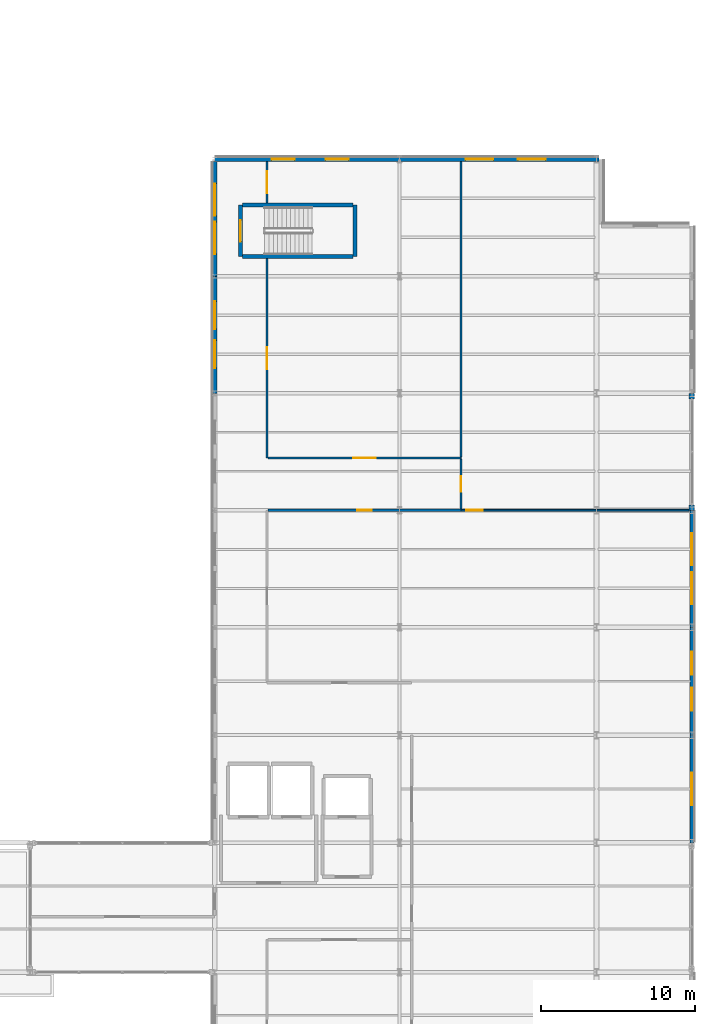
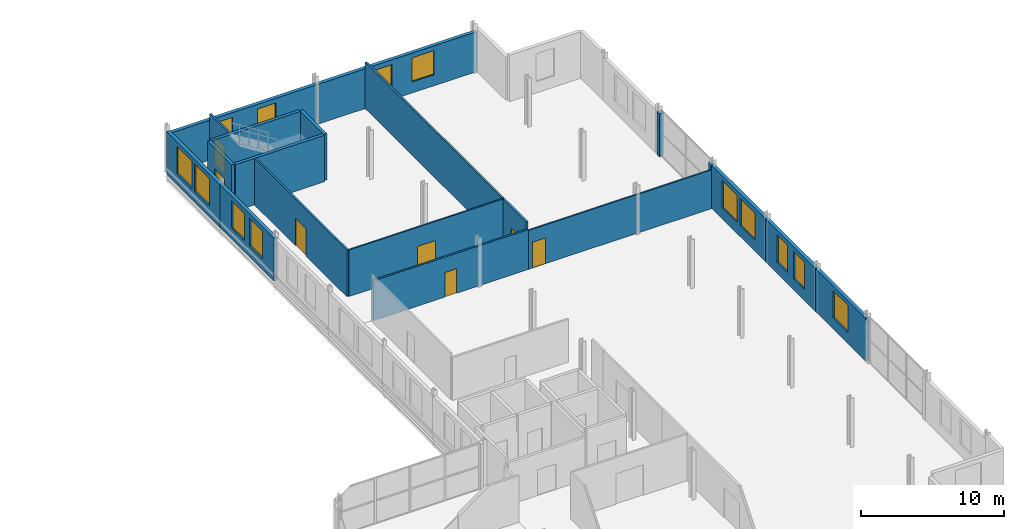
# One storey, part 87 of 93: 20 walls, 13 windows, 7 doors, 20 openings.
"""IFC4 building model written with IfcOpenShell, lengths in metres."""

import ifcopenshell
import ifcopenshell.guid

model = None  # the IFC model being written
_history = None  # IfcOwnerHistory: only IFC2X3 demands one
_inside = {}  # id of a spatial element -> (the spatial element, [elements in it])
_under = {}  # id of a project, library or spatial element -> (it, [spatial elements below it])
_declared = {}  # id of a project -> (the project, [libraries it declares])
_typed = {}  # id of a type object -> (the type object, [elements of that type])
_made_of = {}  # id of a material, layer set ... -> (it, [elements and type objects made of it])


def new_model(schema):
    """Start an empty IFC model of exactly this schema.

    Asked for "IFC4X3", IfcOpenShell would pick the latest addendum, in which some entities
    have other attributes; the version numbers below select the first issue.
    IFC2X3 requires an IfcOwnerHistory on every rooted entity: one is made here for all.
    """
    global model, _history
    if schema == "IFC4X3":
        model = ifcopenshell.file(schema_version=(4, 3, 0, 0))
    else:
        model = ifcopenshell.file(schema=schema)
    _inside.clear()
    _under.clear()
    _declared.clear()
    _typed.clear()
    _made_of.clear()
    _history = None
    if model.schema == "IFC2X3":
        org = make("IfcOrganization", Name="unknown")
        user = make(
            "IfcPersonAndOrganization",
            ThePerson=make("IfcPerson", FamilyName="unknown"),
            TheOrganization=org,
        )
        app = make(
            "IfcApplication",
            ApplicationDeveloper=org,
            Version="unknown",
            ApplicationFullName="unknown",
            ApplicationIdentifier="unknown",
        )
        _history = make(
            "IfcOwnerHistory",
            OwningUser=user,
            OwningApplication=app,
            ChangeAction="ADDED",
            CreationDate=0,
        )
    return model


def make(cls, **values):
    """One entity of the class cls with the attributes given. An attribute that is None is left unset."""
    return model.create_entity(
        cls, **{name: value for name, value in values.items() if value is not None}
    )


def rooted(cls, **values):
    """An entity with a GlobalId (a new one), such as an element, a storey or a relation."""
    return make(cls, GlobalId=ifcopenshell.guid.new(), OwnerHistory=_history, **values)


def si_unit(unit_type, name, prefix=None):
    """IfcSIUnit, for example si_unit("LENGTHUNIT", "METRE", prefix="MILLI")."""
    return make("IfcSIUnit", UnitType=unit_type, Prefix=prefix, Name=name)


def assignment(units):
    """IfcUnitAssignment: the units of a project."""
    return None if units is None else make("IfcUnitAssignment", Units=units)


def point(xyz):
    """IfcCartesianPoint."""
    return None if xyz is None else make("IfcCartesianPoint", Coordinates=xyz)


def direction(xyz):
    """IfcDirection."""
    return None if xyz is None else make("IfcDirection", DirectionRatios=xyz)


def frame(location, z_axis=None, x_axis=None):
    """IfcAxis2Placement3D, a coordinate frame: its origin and axes. An axis left out is left unset."""
    return make(
        "IfcAxis2Placement3D",
        Location=point(location),
        Axis=direction(z_axis),
        RefDirection=direction(x_axis),
    )


def frame_2d(location, x_axis=None):
    """IfcAxis2Placement2D, a coordinate frame in the plane: its origin and x axis."""
    return make(
        "IfcAxis2Placement2D", Location=point(location), RefDirection=direction(x_axis)
    )


def origin():
    """The frame at (0, 0, 0) with its axes left unset."""
    return frame((0.0, 0.0, 0.0))


def place(relative_to, where):
    """IfcLocalPlacement: puts the frame where relative to a parent placement (None: the world)."""
    return make(
        "IfcLocalPlacement", PlacementRelTo=relative_to, RelativePlacement=where
    )


def context(
    kind, dimensions, precision=None, world=None, true_north=None, identifier=None
):
    """IfcGeometricRepresentationContext, for example the 3D "Model" context."""
    return make(
        "IfcGeometricRepresentationContext",
        ContextIdentifier=identifier,
        ContextType=kind,
        CoordinateSpaceDimension=dimensions,
        Precision=precision,
        WorldCoordinateSystem=world,
        TrueNorth=true_north,
    )


def subcontext(parent, identifier, kind, view, scale=None):
    """IfcGeometricRepresentationSubContext, for example "Body" below "Model"."""
    return make(
        "IfcGeometricRepresentationSubContext",
        ContextIdentifier=identifier,
        ContextType=kind,
        ParentContext=parent,
        TargetScale=scale,
        TargetView=view,
    )


def project(units=None, contexts=None):
    """IfcProject with its units and contexts."""
    return rooted(
        "IfcProject",
        Name="project",
        RepresentationContexts=contexts,
        UnitsInContext=assignment(units),
    )


def spatial(cls, under=None, at=None, **own):
    """A site, building, storey or space (cls), placed at a placement, below another one or the project."""
    s = rooted(cls, ObjectPlacement=at, **own)
    if under is not None:
        _under.setdefault(under.id(), (under, []))[1].append(s)
    return s


def profile(cls, at=None, kind="AREA", **sizes):
    """A parametric profile (cls). Its sizes go by their IFC names, for example OverallWidth=200.0."""
    return make(cls, ProfileType=kind, Position=at, **sizes)


def rectangle(**sizes):
    """IfcRectangleProfileDef."""
    return profile("IfcRectangleProfileDef", **sizes)


def extrude(swept, where, along, depth):
    """IfcExtrudedAreaSolid: the profile swept, set in the frame where, extruded along a direction by depth."""
    return make(
        "IfcExtrudedAreaSolid",
        SweptArea=swept,
        Position=where,
        ExtrudedDirection=direction(along),
        Depth=depth,
    )


def shape(context_of_items, identifier, shape_type, items):
    """IfcShapeRepresentation: the items that make up one representation, for example the "Body"."""
    return make(
        "IfcShapeRepresentation",
        ContextOfItems=context_of_items,
        RepresentationIdentifier=identifier,
        RepresentationType=shape_type,
        Items=items,
    )


def material(Name=None, Category=None):
    """IfcMaterial."""
    return make("IfcMaterial", Name=Name, Category=Category)


def layer(
    of_material, thickness, ventilated=None, Name=None, Category=None, Priority=None
):
    """IfcMaterialLayer: one layer of a wall or slab, of a material (None: an air gap)."""
    return make(
        "IfcMaterialLayer",
        Material=of_material,
        LayerThickness=thickness,
        IsVentilated=ventilated,
        Name=Name,
        Category=Category,
        Priority=Priority,
    )


def layer_set(layers, Name=None):
    """IfcMaterialLayerSet."""
    return make("IfcMaterialLayerSet", MaterialLayers=layers, LayerSetName=Name)


def made_of(thing, what):
    """Note that an element or type object is made of a material, layer set ...; save() writes the relation."""
    if what is not None:
        _made_of.setdefault(what.id(), (what, []))[1].append(thing)
    return thing


def type_object(cls, material=None, **own):
    """A type object (cls), such as IfcWallType, which elements share."""
    return made_of(rooted(cls, **own), material)


def element(
    cls,
    number,
    at=None,
    inside=None,
    cuts=None,
    type_object=None,
    material=None,
    context=None,
    identifier="Body",
    shape_type=None,
    held_by="IfcProductDefinitionShape",
    body=None,
    shapes=None,
    **own,
):
    """One element of the class cls, such as IfcWall. Its Tag is "e" and its number.

    at: its placement. inside: the storey or other place that contains it. cuts: it is an
    opening in that element (IfcRelVoidsElement). A single representation is given by context,
    identifier, shape_type and body (its items); several are given by shapes. held_by: the class
    of the entity that holds the representations. save() writes the other relations.
    """
    e = rooted(cls, Tag="e%d" % number, ObjectPlacement=at, **own)
    if body is not None:
        shapes = [shape(context, identifier, shape_type, body)]
    if shapes is not None:
        e.Representation = make(held_by, Representations=shapes)
    if inside is not None:
        _inside.setdefault(inside.id(), (inside, []))[1].append(e)
    if cuts is not None:
        rooted(
            "IfcRelVoidsElement", RelatingBuildingElement=cuts, RelatedOpeningElement=e
        )
    if type_object is not None:
        _typed.setdefault(type_object.id(), (type_object, []))[1].append(e)
    return made_of(e, material)


def fill(opening, filler):
    """IfcRelFillsElement: the door or window that sits in an opening."""
    return rooted(
        "IfcRelFillsElement",
        RelatingOpeningElement=opening,
        RelatedBuildingElement=filler,
    )


def aggregate(whole, parts):
    """IfcRelAggregates: a whole, such as a stair, and the parts it consists of."""
    return rooted("IfcRelAggregates", RelatingObject=whole, RelatedObjects=parts)


def save(model, path):
    """Write the relations noted so far, then the file.

    IfcRelAggregates (storeys below a building ...), IfcRelContainedInSpatialStructure (elements
    in a storey), IfcRelDefinesByType, IfcRelAssociatesMaterial and IfcRelDeclares: one each for
    every whole, place, type object, material and project.
    """
    for whole, parts in _under.values():
        aggregate(whole, parts)
    for where, things in _inside.values():
        rooted(
            "IfcRelContainedInSpatialStructure",
            RelatedElements=things,
            RelatingStructure=where,
        )
    for kind, things in _typed.values():
        rooted("IfcRelDefinesByType", RelatedObjects=things, RelatingType=kind)
    for what, things in _made_of.values():
        rooted("IfcRelAssociatesMaterial", RelatedObjects=things, RelatingMaterial=what)
    for by, libraries in _declared.values():
        rooted("IfcRelDeclares", RelatingContext=by, RelatedDefinitions=libraries)
    model.write(path)


model = new_model("IFC4")

# Units and contexts
model_context = context("Model", 3, precision=1e-05, world=origin(), true_north=direction((0.0, 1.0)))
body_context = subcontext(model_context, "Body", "Model", "MODEL_VIEW")
ifc_project = project(units=[si_unit("LENGTHUNIT", "METRE"), si_unit("AREAUNIT", "SQUARE_METRE"), si_unit("VOLUMEUNIT", "CUBIC_METRE"), si_unit("PLANEANGLEUNIT", "RADIAN"), si_unit("MASSUNIT", "GRAM", prefix="KILO")], contexts=[model_context])

# Site, building, storey
site_placement = place(None, origin())
site = spatial("IfcSite", under=ifc_project, at=site_placement, CompositionType="ELEMENT")
building_placement = place(site_placement, origin())
building = spatial("IfcBuilding", under=site, at=building_placement, Name="Vekula Escarpment Museum", CompositionType="ELEMENT")
storey_placement = place(building_placement, frame((0.0, 0.0, 22.199951171875)))
storey = spatial("IfcBuildingStorey", under=building, at=storey_placement, Name="L05", CompositionType="ELEMENT", Elevation=22.199951171875)

# Walls
ifc_material_1 = material(Name="Inkisi arkosic sandstone masonry", Category="masonry")
ifc_layer_1 = layer(ifc_material_1, 0.35009765625)
ifc_layer_set_1 = layer_set([ifc_layer_1], Name="Inkisi arkosic sandstone masonry")
wall_type_1 = type_object("IfcWallType", Name="WL-ALM-350", PredefinedType="SOLIDWALL", material=ifc_layer_set_1)
for number, where, z_axis, x_axis, name in (
    (1, (198.0, 98.0, 0.0), (0.0, 0.0, 1.0), (0.0, 1.0, 0.0), "Facade Jamb Pier L05-0889A"),
    (2, (198.0, 105.239990234375, 0.0), (0.0, 0.0, 1.0), (0.0, 1.0, 0.0), "Facade Jamb Pier L05-0890B"),
):
    element("IfcWall", number, at=place(storey_placement, frame(where, z_axis=z_axis, x_axis=x_axis)), inside=storey, type_object=wall_type_1, Name=name, PredefinedType="SOLIDWALL", context=body_context, shape_type="SweptSolid", body=[
        extrude(rectangle(XDim=0.360107421875, YDim=0.35009765625, at=frame_2d((0.18017578125, 0.0))), origin(), (0.0, 0.0, 1.0), 3.675048828125),
    ])

# Wall, opening, door
ifc_material_2 = material(Name="Concrete C35/45", Category="concrete")
ifc_layer_2 = layer(ifc_material_2, 0.25)
ifc_layer_set_2 = layer_set([ifc_layer_2], Name="Concrete C35/45")
wall_type_2 = type_object("IfcWallType", Name="WL-CORE-250", PredefinedType="SHEAR", material=ifc_layer_set_2)
wall_1_placement = place(storey_placement, frame((168.675048828125, 114.47509765625, 0.0), z_axis=(0.0, 0.0, 1.0), x_axis=(0.0, 1.0, 0.0)))
wall_1 = element("IfcWall", 3, at=wall_1_placement, inside=storey, type_object=wall_type_2, Name="Stair Core Wall ST-05 L05 W", PredefinedType="SHEAR", context=body_context, shape_type="SweptSolid", body=[
    extrude(rectangle(XDim=3.349853515625, YDim=0.25, at=frame_2d((1.6748046875, 0.0))), origin(), (0.0, 0.0, 1.0), 3.97998046875),
])
opening_1_placement = place(wall_1_placement, frame((0.97509765625, 0.0, 0.0)))
opening_1 = element("IfcOpeningElement", 4, at=opening_1_placement, cuts=wall_1, Name="Opening DR-FD60", PredefinedType="OPENING", context=body_context, shape_type="SweptSolid", body=[
    extrude(rectangle(XDim=1.39990234375, YDim=2.199951171875, at=frame_2d((0.699951171875, 1.10009765625))), frame((0.0, 0.135009765625, 0.0), z_axis=(0.0, -1.0, 0.0), x_axis=(1.0, 0.0, 0.0)), (0.0, 0.0, 1.0), 0.27001953125),
])
ifc_material_3 = material(Name="Fire-rated steel stair door", Category="steel")
door_type_1 = type_object("IfcDoorType", Name="DR-STAIR-1400x2200", OperationType="NOTDEFINED", PredefinedType="DOOR", material=ifc_material_3)
door_1_placement = place(opening_1_placement, origin())
door_1 = element("IfcDoor", 5, at=door_1_placement, inside=storey, type_object=door_type_1, Name="Protected Exit Stair Door ST-05 L05", OperationType="SINGLE_SWING_RIGHT", OverallHeight=2.199951171875, OverallWidth=1.39990234375, PredefinedType="DOOR", context=body_context, shape_type="SweptSolid", body=[
    extrude(rectangle(XDim=1.39990234375, YDim=2.199951171875, at=frame_2d((0.699951171875, 1.10009765625))), frame((0.0, 0.02490234375, 0.0), z_axis=(0.0, -1.0, 0.0), x_axis=(1.0, 0.0, 0.0)), (0.0, 0.0, 1.0), 0.050048828125),
])
fill(opening_1, door_1)

# Walls
wall_2_placement = place(storey_placement, frame((176.125, 114.47509765625, 0.0), z_axis=(0.0, 0.0, 1.0), x_axis=(0.0, 1.0, 0.0)))
element("IfcWall", 6, at=wall_2_placement, inside=storey, type_object=wall_type_2, Name="Stair Core Wall ST-05 L05 E", PredefinedType="SHEAR", context=body_context, shape_type="SweptSolid", body=[
    extrude(rectangle(XDim=3.349853515625, YDim=0.25, at=frame_2d((1.6748046875, 0.0))), origin(), (0.0, 0.0, 1.0), 3.97998046875),
])
for number, where, z_axis, x_axis, name in (
    (7, (168.803955078125, 114.47509765625, 0.0), (0.0, 0.0, 1.0), (1.0, 0.0, 0.0), "Stair Core Wall ST-05 L05 S"),
    (8, (168.803955078125, 117.824951171875, 0.0), (0.0, 0.0, 1.0), (1.0, 0.0, 0.0), "Stair Core Wall ST-05 L05 N"),
):
    element("IfcWall", number, at=place(storey_placement, frame(where, z_axis=z_axis, x_axis=x_axis)), inside=storey, type_object=wall_type_2, Name=name, PredefinedType="SHEAR", context=body_context, shape_type="SweptSolid", body=[
        extrude(rectangle(XDim=7.192138671875, YDim=0.25, at=frame_2d((3.59619140625, 0.0))), origin(), (0.0, 0.0, 1.0), 3.97998046875),
    ])

# Wall, opening, window
ifc_material_4 = material(Name="Inkisi arkosic sandstone masonry", Category="masonry")
ifc_layer_3 = layer(ifc_material_4, 0.280029296875)
ifc_layer_set_3 = layer_set([ifc_layer_3], Name="Inkisi arkosic sandstone masonry")
wall_type_3 = type_object("IfcWallType", Name="WL-CUM-280", PredefinedType="SOLIDWALL", material=ifc_layer_set_3)
wall_3_placement = place(storey_placement, frame((198.0, 83.39990234375, 0.0), z_axis=(0.0, 0.0, 1.0), x_axis=(0.0, -1.0, 0.0)))
wall_3 = element("IfcWall", 9, at=wall_3_placement, inside=storey, type_object=wall_type_3, Name="Exterior Wall WL-EXT-L05-0886", PredefinedType="SOLIDWALL", context=body_context, shape_type="SweptSolid", body=[
    extrude(rectangle(XDim=7.0, YDim=0.280029296875, at=frame_2d((3.5, 0.0))), origin(), (0.0, 0.0, 1.0), 3.675048828125),
])
opening_2_placement = place(wall_3_placement, frame((2.449951171875, 0.0, 0.949951171875)))
opening_2 = element("IfcOpeningElement", 10, at=opening_2_placement, cuts=wall_3, Name="Opening WN-08", PredefinedType="OPENING", context=body_context, shape_type="SweptSolid", body=[
    extrude(rectangle(XDim=2.10009765625, YDim=2.330078125, at=frame_2d((1.050048828125, 1.1650390625))), frame((0.0, 0.14990234375, 0.0), z_axis=(0.0, -1.0, 0.0), x_axis=(1.0, 0.0, 0.0)), (0.0, 0.0, 1.0), 0.300048828125),
])
ifc_material_5 = material(Name="Double solar-control low-E glass", Category="glass")
window_type_1 = type_object("IfcWindowType", Name="WN-CUMBA-21x28", PartitioningType="DOUBLE_PANEL_VERTICAL", PredefinedType="WINDOW", material=ifc_material_5)
window_1_placement = place(opening_2_placement, origin())
window_1 = element("IfcWindow", 11, at=window_1_placement, inside=storey, type_object=window_type_1, Name="Window L05-0480", OverallHeight=2.330078125, OverallWidth=2.10009765625, PartitioningType="SINGLE_PANEL", PredefinedType="WINDOW", context=body_context, shape_type="SweptSolid", body=[
    extrude(rectangle(XDim=2.10009765625, YDim=2.330078125, at=frame_2d((1.050048828125, 1.1650390625))), frame((0.0, 0.030029296875, 0.0), z_axis=(0.0, -1.0, 0.0), x_axis=(1.0, 0.0, 0.0)), (0.0, 0.0, 1.0), 0.06005859375),
])
fill(opening_2, window_1)

# Wall, openings, windows
wall_4_placement = place(storey_placement, frame((198.0, 90.39990234375, 0.0), z_axis=(0.0, 0.0, 1.0), x_axis=(0.0, -1.0, 0.0)))
wall_4 = element("IfcWall", 12, at=wall_4_placement, inside=storey, type_object=wall_type_3, Name="Exterior Wall WL-EXT-L05-0887", PredefinedType="SOLIDWALL", context=body_context, shape_type="SweptSolid", body=[
    extrude(rectangle(XDim=7.0, YDim=0.280029296875, at=frame_2d((3.5, 0.0))), origin(), (0.0, 0.0, 1.0), 3.675048828125),
])
opening_3_placement = place(wall_4_placement, frame((1.583251953125, 0.0, 0.949951171875)))
opening_3 = element("IfcOpeningElement", 13, at=opening_3_placement, cuts=wall_4, Name="Opening WN-06", PredefinedType="OPENING", context=body_context, shape_type="SweptSolid", body=[
    extrude(rectangle(XDim=1.5, YDim=2.330078125, at=frame_2d((0.75, 1.1650390625))), frame((0.0, 0.14990234375, 0.0), z_axis=(0.0, -1.0, 0.0), x_axis=(1.0, 0.0, 0.0)), (0.0, 0.0, 1.0), 0.300048828125),
])
opening_4_placement = place(wall_4_placement, frame((3.916748046875, 0.0, 0.949951171875)))
opening_4 = element("IfcOpeningElement", 14, at=opening_4_placement, cuts=wall_4, Name="Opening WN-06", PredefinedType="OPENING", context=body_context, shape_type="SweptSolid", body=[
    extrude(rectangle(XDim=1.5, YDim=2.330078125, at=frame_2d((0.75, 1.1650390625))), frame((0.0, 0.14990234375, 0.0), z_axis=(0.0, -1.0, 0.0), x_axis=(1.0, 0.0, 0.0)), (0.0, 0.0, 1.0), 0.300048828125),
])
ifc_material_6 = material(Name="Double solar-control low-E glass", Category="glass")
window_type_2 = type_object("IfcWindowType", Name="WN-CUMBA-15x24", PartitioningType="SINGLE_PANEL", PredefinedType="WINDOW", material=ifc_material_6)
window_2_placement = place(opening_3_placement, origin())
window_2 = element("IfcWindow", 15, at=window_2_placement, inside=storey, type_object=window_type_2, Name="Window L05-0481", OverallHeight=2.330078125, OverallWidth=1.5, PartitioningType="SINGLE_PANEL", PredefinedType="WINDOW", context=body_context, shape_type="SweptSolid", body=[
    extrude(rectangle(XDim=1.5, YDim=2.330078125, at=frame_2d((0.75, 1.1650390625))), frame((0.0, 0.030029296875, 0.0), z_axis=(0.0, -1.0, 0.0), x_axis=(1.0, 0.0, 0.0)), (0.0, 0.0, 1.0), 0.06005859375),
])
fill(opening_3, window_2)
window_3_placement = place(opening_4_placement, origin())
window_3 = element("IfcWindow", 16, at=window_3_placement, inside=storey, type_object=window_type_2, Name="Window L05-0482", OverallHeight=2.330078125, OverallWidth=1.5, PartitioningType="SINGLE_PANEL", PredefinedType="WINDOW", context=body_context, shape_type="SweptSolid", body=[
    extrude(rectangle(XDim=1.5, YDim=2.330078125, at=frame_2d((0.75, 1.1650390625))), frame((0.0, 0.030029296875, 0.0), z_axis=(0.0, -1.0, 0.0), x_axis=(1.0, 0.0, 0.0)), (0.0, 0.0, 1.0), 0.06005859375),
])
fill(opening_4, window_3)

wall_5_placement = place(storey_placement, frame((198.0, 98.0, 0.0), z_axis=(0.0, 0.0, 1.0), x_axis=(0.0, -1.0, 0.0)))
wall_5 = element("IfcWall", 17, at=wall_5_placement, inside=storey, type_object=wall_type_3, Name="Exterior Wall WL-EXT-L05-0888", PredefinedType="SOLIDWALL", context=body_context, shape_type="SweptSolid", body=[
    extrude(rectangle(XDim=7.60009765625, YDim=0.280029296875, at=frame_2d((3.800048828125, 0.0))), origin(), (0.0, 0.0, 1.0), 3.675048828125),
])
opening_5_placement = place(wall_5_placement, frame((1.4833984375, 0.0, 0.949951171875)))
opening_5 = element("IfcOpeningElement", 18, at=opening_5_placement, cuts=wall_5, Name="Opening WN-08", PredefinedType="OPENING", context=body_context, shape_type="SweptSolid", body=[
    extrude(rectangle(XDim=2.10009765625, YDim=2.330078125, at=frame_2d((1.050048828125, 1.1650390625))), frame((0.0, 0.14990234375, 0.0), z_axis=(0.0, -1.0, 0.0), x_axis=(1.0, 0.0, 0.0)), (0.0, 0.0, 1.0), 0.300048828125),
])
opening_6_placement = place(wall_5_placement, frame((4.0166015625, 0.0, 0.949951171875)))
opening_6 = element("IfcOpeningElement", 19, at=opening_6_placement, cuts=wall_5, Name="Opening WN-08", PredefinedType="OPENING", context=body_context, shape_type="SweptSolid", body=[
    extrude(rectangle(XDim=2.10009765625, YDim=2.330078125, at=frame_2d((1.050048828125, 1.1650390625))), frame((0.0, 0.14990234375, 0.0), z_axis=(0.0, -1.0, 0.0), x_axis=(1.0, 0.0, 0.0)), (0.0, 0.0, 1.0), 0.300048828125),
])
window_4_placement = place(opening_5_placement, origin())
window_4 = element("IfcWindow", 20, at=window_4_placement, inside=storey, type_object=window_type_1, Name="Window L05-0483", OverallHeight=2.330078125, OverallWidth=2.10009765625, PartitioningType="SINGLE_PANEL", PredefinedType="WINDOW", context=body_context, shape_type="SweptSolid", body=[
    extrude(rectangle(XDim=2.10009765625, YDim=2.330078125, at=frame_2d((1.050048828125, 1.1650390625))), frame((0.0, 0.030029296875, 0.0), z_axis=(0.0, -1.0, 0.0), x_axis=(1.0, 0.0, 0.0)), (0.0, 0.0, 1.0), 0.06005859375),
])
fill(opening_5, window_4)
window_5_placement = place(opening_6_placement, origin())
window_5 = element("IfcWindow", 21, at=window_5_placement, inside=storey, type_object=window_type_1, Name="Window L05-0484", OverallHeight=2.330078125, OverallWidth=2.10009765625, PartitioningType="SINGLE_PANEL", PredefinedType="WINDOW", context=body_context, shape_type="SweptSolid", body=[
    extrude(rectangle(XDim=2.10009765625, YDim=2.330078125, at=frame_2d((1.050048828125, 1.1650390625))), frame((0.0, 0.030029296875, 0.0), z_axis=(0.0, -1.0, 0.0), x_axis=(1.0, 0.0, 0.0)), (0.0, 0.0, 1.0), 0.06005859375),
])
fill(opening_6, window_5)

wall_6_placement = place(storey_placement, frame((179.0, 120.800048828125, 0.0), z_axis=(0.0, 0.0, 1.0), x_axis=(1.0, 0.0, 0.0)))
wall_6 = element("IfcWall", 22, at=wall_6_placement, inside=storey, type_object=wall_type_3, Name="Exterior Wall WL-EXT-L05-0895", PredefinedType="SOLIDWALL", context=body_context, shape_type="SweptSolid", body=[
    extrude(rectangle(XDim=12.966064453125, YDim=0.280029296875, at=frame_2d((6.48291015625, 0.0))), origin(), (0.0, 0.0, 1.0), 3.4150390625),
])
opening_7_placement = place(wall_6_placement, frame((4.300048828125, 0.0, 0.949951171875)))
opening_7 = element("IfcOpeningElement", 23, at=opening_7_placement, cuts=wall_6, Name="Opening WN-07", PredefinedType="OPENING", context=body_context, shape_type="SweptSolid", body=[
    extrude(rectangle(XDim=1.800048828125, YDim=2.06005859375, at=frame_2d((0.89990234375, 1.030029296875))), frame((0.0, 0.14990234375, 0.0), z_axis=(0.0, -1.0, 0.0), x_axis=(1.0, 0.0, 0.0)), (0.0, 0.0, 1.0), 0.300048828125),
])
opening_8_placement = place(wall_6_placement, frame((7.699951171875, 0.0, 0.949951171875)))
opening_8 = element("IfcOpeningElement", 24, at=opening_8_placement, cuts=wall_6, Name="Opening WN-07", PredefinedType="OPENING", context=body_context, shape_type="SweptSolid", body=[
    extrude(rectangle(XDim=1.800048828125, YDim=2.06005859375, at=frame_2d((0.89990234375, 1.030029296875))), frame((0.0, 0.14990234375, 0.0), z_axis=(0.0, -1.0, 0.0), x_axis=(1.0, 0.0, 0.0)), (0.0, 0.0, 1.0), 0.300048828125),
])
ifc_material_7 = material(Name="Double solar-control low-E glass", Category="glass")
window_type_3 = type_object("IfcWindowType", Name="WN-CUMBA-18x26", PartitioningType="DOUBLE_PANEL_VERTICAL", PredefinedType="WINDOW", material=ifc_material_7)
window_6_placement = place(opening_7_placement, origin())
window_6 = element("IfcWindow", 25, at=window_6_placement, inside=storey, type_object=window_type_3, Name="Window L05-0488", OverallHeight=2.06005859375, OverallWidth=1.800048828125, PartitioningType="SINGLE_PANEL", PredefinedType="WINDOW", context=body_context, shape_type="SweptSolid", body=[
    extrude(rectangle(XDim=1.800048828125, YDim=2.06005859375, at=frame_2d((0.89990234375, 1.030029296875))), frame((0.0, 0.030029296875, 0.0), z_axis=(0.0, -1.0, 0.0), x_axis=(1.0, 0.0, 0.0)), (0.0, 0.0, 1.0), 0.06005859375),
])
fill(opening_7, window_6)
window_7_placement = place(opening_8_placement, origin())
window_7 = element("IfcWindow", 26, at=window_7_placement, inside=storey, type_object=window_type_3, Name="Window L05-0489", OverallHeight=2.06005859375, OverallWidth=1.800048828125, PartitioningType="SINGLE_PANEL", PredefinedType="WINDOW", context=body_context, shape_type="SweptSolid", body=[
    extrude(rectangle(XDim=1.800048828125, YDim=2.06005859375, at=frame_2d((0.89990234375, 1.030029296875))), frame((0.0, 0.030029296875, 0.0), z_axis=(0.0, -1.0, 0.0), x_axis=(1.0, 0.0, 0.0)), (0.0, 0.0, 1.0), 0.06005859375),
])
fill(opening_8, window_7)

wall_7_placement = place(storey_placement, frame((167.0, 120.800048828125, 0.0), z_axis=(0.0, 0.0, 1.0), x_axis=(1.0, 0.0, 0.0)))
wall_7 = element("IfcWall", 27, at=wall_7_placement, inside=storey, type_object=wall_type_3, Name="Exterior Wall WL-EXT-L05-0896", PredefinedType="SOLIDWALL", context=body_context, shape_type="SweptSolid", body=[
    extrude(rectangle(XDim=12.0, YDim=0.280029296875, at=frame_2d((6.0, 0.0))), origin(), (0.0, 0.0, 1.0), 3.4150390625),
])
opening_9_placement = place(wall_7_placement, frame((3.699951171875, 0.0, 0.949951171875)))
opening_9 = element("IfcOpeningElement", 28, at=opening_9_placement, cuts=wall_7, Name="Opening WN-06", PredefinedType="OPENING", context=body_context, shape_type="SweptSolid", body=[
    extrude(rectangle(XDim=1.5, YDim=2.06005859375, at=frame_2d((0.75, 1.030029296875))), frame((0.0, 0.14990234375, 0.0), z_axis=(0.0, -1.0, 0.0), x_axis=(1.0, 0.0, 0.0)), (0.0, 0.0, 1.0), 0.300048828125),
])
opening_10_placement = place(wall_7_placement, frame((7.199951171875, 0.0, 0.949951171875)))
opening_10 = element("IfcOpeningElement", 29, at=opening_10_placement, cuts=wall_7, Name="Opening WN-06", PredefinedType="OPENING", context=body_context, shape_type="SweptSolid", body=[
    extrude(rectangle(XDim=1.5, YDim=2.06005859375, at=frame_2d((0.75, 1.030029296875))), frame((0.0, 0.14990234375, 0.0), z_axis=(0.0, -1.0, 0.0), x_axis=(1.0, 0.0, 0.0)), (0.0, 0.0, 1.0), 0.300048828125),
])
window_8_placement = place(opening_9_placement, origin())
window_8 = element("IfcWindow", 30, at=window_8_placement, inside=storey, type_object=window_type_2, Name="Window L05-0490", OverallHeight=2.06005859375, OverallWidth=1.5, PartitioningType="SINGLE_PANEL", PredefinedType="WINDOW", context=body_context, shape_type="SweptSolid", body=[
    extrude(rectangle(XDim=1.5, YDim=2.06005859375, at=frame_2d((0.75, 1.030029296875))), frame((0.0, 0.030029296875, 0.0), z_axis=(0.0, -1.0, 0.0), x_axis=(1.0, 0.0, 0.0)), (0.0, 0.0, 1.0), 0.06005859375),
])
fill(opening_9, window_8)
window_9_placement = place(opening_10_placement, origin())
window_9 = element("IfcWindow", 31, at=window_9_placement, inside=storey, type_object=window_type_2, Name="Window L05-0491", OverallHeight=2.06005859375, OverallWidth=1.5, PartitioningType="SINGLE_PANEL", PredefinedType="WINDOW", context=body_context, shape_type="SweptSolid", body=[
    extrude(rectangle(XDim=1.5, YDim=2.06005859375, at=frame_2d((0.75, 1.030029296875))), frame((0.0, 0.030029296875, 0.0), z_axis=(0.0, -1.0, 0.0), x_axis=(1.0, 0.0, 0.0)), (0.0, 0.0, 1.0), 0.06005859375),
])
fill(opening_10, window_9)

wall_8_placement = place(storey_placement, frame((167.0, 113.199951171875, 0.0), z_axis=(0.0, 0.0, 1.0), x_axis=(0.0, 1.0, 0.0)))
wall_8 = element("IfcWall", 32, at=wall_8_placement, inside=storey, type_object=wall_type_3, Name="Exterior Wall WL-EXT-L05-0897", PredefinedType="SOLIDWALL", context=body_context, shape_type="SweptSolid", body=[
    extrude(rectangle(XDim=7.4560546875, YDim=0.280029296875, at=frame_2d((3.72802734375, 0.0))), origin(), (0.0, 0.0, 1.0), 3.675048828125),
])
opening_11_placement = place(wall_8_placement, frame((1.435302734375, 0.0, 0.949951171875)))
opening_11 = element("IfcOpeningElement", 33, at=opening_11_placement, cuts=wall_8, Name="Opening WN-08", PredefinedType="OPENING", context=body_context, shape_type="SweptSolid", body=[
    extrude(rectangle(XDim=2.10009765625, YDim=2.330078125, at=frame_2d((1.050048828125, 1.1650390625))), frame((0.0, 0.14990234375, 0.0), z_axis=(0.0, -1.0, 0.0), x_axis=(1.0, 0.0, 0.0)), (0.0, 0.0, 1.0), 0.300048828125),
])
opening_12_placement = place(wall_8_placement, frame((3.920654296875, 0.0, 0.949951171875)))
opening_12 = element("IfcOpeningElement", 34, at=opening_12_placement, cuts=wall_8, Name="Opening WN-08", PredefinedType="OPENING", context=body_context, shape_type="SweptSolid", body=[
    extrude(rectangle(XDim=2.10009765625, YDim=2.330078125, at=frame_2d((1.050048828125, 1.1650390625))), frame((0.0, 0.14990234375, 0.0), z_axis=(0.0, -1.0, 0.0), x_axis=(1.0, 0.0, 0.0)), (0.0, 0.0, 1.0), 0.300048828125),
])
window_10_placement = place(opening_11_placement, origin())
window_10 = element("IfcWindow", 35, at=window_10_placement, inside=storey, type_object=window_type_1, Name="Window L05-0492", OverallHeight=2.330078125, OverallWidth=2.10009765625, PartitioningType="SINGLE_PANEL", PredefinedType="WINDOW", context=body_context, shape_type="SweptSolid", body=[
    extrude(rectangle(XDim=2.10009765625, YDim=2.330078125, at=frame_2d((1.050048828125, 1.1650390625))), frame((0.0, 0.030029296875, 0.0), z_axis=(0.0, -1.0, 0.0), x_axis=(1.0, 0.0, 0.0)), (0.0, 0.0, 1.0), 0.06005859375),
])
fill(opening_11, window_10)
window_11_placement = place(opening_12_placement, origin())
window_11 = element("IfcWindow", 36, at=window_11_placement, inside=storey, type_object=window_type_1, Name="Window L05-0493", OverallHeight=2.330078125, OverallWidth=2.10009765625, PartitioningType="SINGLE_PANEL", PredefinedType="WINDOW", context=body_context, shape_type="SweptSolid", body=[
    extrude(rectangle(XDim=2.10009765625, YDim=2.330078125, at=frame_2d((1.050048828125, 1.1650390625))), frame((0.0, 0.030029296875, 0.0), z_axis=(0.0, -1.0, 0.0), x_axis=(1.0, 0.0, 0.0)), (0.0, 0.0, 1.0), 0.06005859375),
])
fill(opening_12, window_11)

wall_9_placement = place(storey_placement, frame((167.0, 105.60009765625, 0.0), z_axis=(0.0, 0.0, 1.0), x_axis=(0.0, 1.0, 0.0)))
wall_9 = element("IfcWall", 37, at=wall_9_placement, inside=storey, type_object=wall_type_3, Name="Exterior Wall WL-EXT-L05-0898", PredefinedType="SOLIDWALL", context=body_context, shape_type="SweptSolid", body=[
    extrude(rectangle(XDim=7.599853515625, YDim=0.280029296875, at=frame_2d((3.7998046875, 0.0))), origin(), (0.0, 0.0, 1.0), 3.675048828125),
])
opening_13_placement = place(wall_9_placement, frame((1.63330078125, 0.0, 0.949951171875)))
opening_13 = element("IfcOpeningElement", 38, at=opening_13_placement, cuts=wall_9, Name="Opening WN-07", PredefinedType="OPENING", context=body_context, shape_type="SweptSolid", body=[
    extrude(rectangle(XDim=1.800048828125, YDim=2.330078125, at=frame_2d((0.89990234375, 1.1650390625))), frame((0.0, 0.14990234375, 0.0), z_axis=(0.0, -1.0, 0.0), x_axis=(1.0, 0.0, 0.0)), (0.0, 0.0, 1.0), 0.300048828125),
])
opening_14_placement = place(wall_9_placement, frame((4.166748046875, 0.0, 0.949951171875)))
opening_14 = element("IfcOpeningElement", 39, at=opening_14_placement, cuts=wall_9, Name="Opening WN-07", PredefinedType="OPENING", context=body_context, shape_type="SweptSolid", body=[
    extrude(rectangle(XDim=1.800048828125, YDim=2.330078125, at=frame_2d((0.89990234375, 1.1650390625))), frame((0.0, 0.14990234375, 0.0), z_axis=(0.0, -1.0, 0.0), x_axis=(1.0, 0.0, 0.0)), (0.0, 0.0, 1.0), 0.300048828125),
])
window_12_placement = place(opening_13_placement, origin())
window_12 = element("IfcWindow", 40, at=window_12_placement, inside=storey, type_object=window_type_3, Name="Window L05-0494", OverallHeight=2.330078125, OverallWidth=1.800048828125, PartitioningType="SINGLE_PANEL", PredefinedType="WINDOW", context=body_context, shape_type="SweptSolid", body=[
    extrude(rectangle(XDim=1.800048828125, YDim=2.330078125, at=frame_2d((0.89990234375, 1.1650390625))), frame((0.0, 0.030029296875, 0.0), z_axis=(0.0, -1.0, 0.0), x_axis=(1.0, 0.0, 0.0)), (0.0, 0.0, 1.0), 0.06005859375),
])
fill(opening_13, window_12)
window_13_placement = place(opening_14_placement, origin())
window_13 = element("IfcWindow", 41, at=window_13_placement, inside=storey, type_object=window_type_3, Name="Window L05-0495", OverallHeight=2.330078125, OverallWidth=1.800048828125, PartitioningType="SINGLE_PANEL", PredefinedType="WINDOW", context=body_context, shape_type="SweptSolid", body=[
    extrude(rectangle(XDim=1.800048828125, YDim=2.330078125, at=frame_2d((0.89990234375, 1.1650390625))), frame((0.0, 0.030029296875, 0.0), z_axis=(0.0, -1.0, 0.0), x_axis=(1.0, 0.0, 0.0)), (0.0, 0.0, 1.0), 0.06005859375),
])
fill(opening_14, window_13)

# Wall, opening, door
ifc_material_8 = material(Name="Lightweight studio partition", Category="gypsum")
ifc_layer_4 = layer(ifc_material_8, 0.1201171875)
ifc_layer_set_4 = layer_set([ifc_layer_4], Name="Lightweight studio partition")
wall_type_4 = type_object("IfcWallType", Name="WL-PART-120", PredefinedType="PARTITIONING", material=ifc_layer_set_4)
wall_10_placement = place(storey_placement, frame((183.0, 98.0, 0.0), z_axis=(0.0, 0.0, 1.0), x_axis=(1.0, 0.0, 0.0)))
wall_10 = element("IfcWall", 42, at=wall_10_placement, inside=storey, type_object=wall_type_4, Name="Interior Partition WL-INT-L05-0045", PredefinedType="PARTITIONING", context=body_context, shape_type="SweptSolid", body=[
    extrude(rectangle(XDim=14.821044921875, YDim=0.1201171875, at=frame_2d((7.41064453125, 0.0))), origin(), (0.0, 0.0, 1.0), 3.31494140625),
])
opening_15_placement = place(wall_10_placement, frame((0.35009765625, 0.0, 0.0)))
opening_15 = element("IfcOpeningElement", 43, at=opening_15_placement, cuts=wall_10, Name="Opening DR-CR10", PredefinedType="OPENING", context=body_context, shape_type="SweptSolid", body=[
    extrude(rectangle(XDim=1.050048828125, YDim=2.199951171875, at=frame_2d((0.52490234375, 1.10009765625))), frame((0.0, 0.070068359375, 0.0), z_axis=(0.0, -1.0, 0.0), x_axis=(1.0, 0.0, 0.0)), (0.0, 0.0, 1.0), 0.14013671875),
])
ifc_material_9 = material(Name="Solid hardwood curatorial door", Category="wood")
door_type_2 = type_object("IfcDoorType", Name="DR-CUR-1050x2200", OperationType="NOTDEFINED", PredefinedType="DOOR", material=ifc_material_9)
door_2_placement = place(opening_15_placement, origin())
door_2 = element("IfcDoor", 44, at=door_2_placement, inside=storey, type_object=door_type_2, Name="Interior Door L05-042", OperationType="SINGLE_SWING_RIGHT", OverallHeight=2.199951171875, OverallWidth=1.050048828125, PredefinedType="DOOR", context=body_context, shape_type="SweptSolid", body=[
    extrude(rectangle(XDim=1.050048828125, YDim=2.199951171875, at=frame_2d((0.52490234375, 1.10009765625))), frame((0.0, 0.02490234375, 0.0), z_axis=(0.0, -1.0, 0.0), x_axis=(1.0, 0.0, 0.0)), (0.0, 0.0, 1.0), 0.050048828125),
])
fill(opening_15, door_2)

wall_11_placement = place(storey_placement, frame((170.47900390625, 101.39990234375, 0.0), z_axis=(0.0, 0.0, 1.0), x_axis=(1.0, 0.0, 0.0)))
wall_11 = element("IfcWall", 45, at=wall_11_placement, inside=storey, type_object=wall_type_4, Name="Interior Partition WL-INT-L05-0048", PredefinedType="PARTITIONING", context=body_context, shape_type="SweptSolid", body=[
    extrude(rectangle(XDim=12.52099609375, YDim=0.1201171875, at=frame_2d((6.260498046875, 0.0))), origin(), (0.0, 0.0, 1.0), 3.97998046875),
])
opening_16_placement = place(wall_11_placement, frame((5.535400390625, 0.0, 0.0)))
opening_16 = element("IfcOpeningElement", 46, at=opening_16_placement, cuts=wall_11, Name="Opening DR-LB14", PredefinedType="OPENING", context=body_context, shape_type="SweptSolid", body=[
    extrude(rectangle(XDim=1.449951171875, YDim=2.35009765625, at=frame_2d((0.72509765625, 1.175048828125))), frame((0.0, 0.070068359375, 0.0), z_axis=(0.0, -1.0, 0.0), x_axis=(1.0, 0.0, 0.0)), (0.0, 0.0, 1.0), 0.14013671875),
])
ifc_material_10 = material(Name="Glazed timber library door", Category="wood")
door_type_3 = type_object("IfcDoorType", Name="DR-LIB-1450x2350", OperationType="NOTDEFINED", PredefinedType="DOOR", material=ifc_material_10)
door_3_placement = place(opening_16_placement, origin())
door_3 = element("IfcDoor", 47, at=door_3_placement, inside=storey, type_object=door_type_3, Name="Interior Door L05-045", OperationType="SINGLE_SWING_LEFT", OverallHeight=2.35009765625, OverallWidth=1.449951171875, PredefinedType="DOOR", context=body_context, shape_type="SweptSolid", body=[
    extrude(rectangle(XDim=1.449951171875, YDim=2.35009765625, at=frame_2d((0.72509765625, 1.175048828125))), frame((0.0, 0.02490234375, 0.0), z_axis=(0.0, -1.0, 0.0), x_axis=(1.0, 0.0, 0.0)), (0.0, 0.0, 1.0), 0.050048828125),
])
fill(opening_16, door_3)

ifc_material_11 = material(Name="Gypsum board dry-lined partition", Category="gypsum")
ifc_layer_5 = layer(ifc_material_11, 0.14990234375)
ifc_layer_set_5 = layer_set([ifc_layer_5], Name="Gypsum board dry-lined partition")
wall_type_5 = type_object("IfcWallType", Name="WL-PART-150", PredefinedType="PARTITIONING", material=ifc_layer_set_5)
wall_12_placement = place(storey_placement, frame((170.464111328125, 98.0, 0.0), z_axis=(0.0, 0.0, 1.0), x_axis=(1.0, 0.0, 0.0)))
wall_12 = element("IfcWall", 48, at=wall_12_placement, inside=storey, type_object=wall_type_5, Name="Interior Partition WL-INT-L05-0044", PredefinedType="PARTITIONING", context=body_context, shape_type="SweptSolid", body=[
    extrude(rectangle(XDim=12.535888671875, YDim=0.14990234375, at=frame_2d((6.26806640625, 0.0))), origin(), (0.0, 0.0, 1.0), 3.4150390625),
])
opening_17_placement = place(wall_12_placement, frame((5.79296875, 0.0, 0.0)))
opening_17 = element("IfcOpeningElement", 49, at=opening_17_placement, cuts=wall_12, Name="Opening DR-OF09", PredefinedType="OPENING", context=body_context, shape_type="SweptSolid", body=[
    extrude(rectangle(XDim=0.949951171875, YDim=2.10009765625, at=frame_2d((0.47509765625, 1.050048828125))), frame((0.0, 0.0849609375, 0.0), z_axis=(0.0, -1.0, 0.0), x_axis=(1.0, 0.0, 0.0)), (0.0, 0.0, 1.0), 0.169921875),
])
ifc_material_12 = material(Name="Solid core timber office door", Category="wood")
door_type_4 = type_object("IfcDoorType", Name="DR-OFF-0950x2100", OperationType="NOTDEFINED", PredefinedType="DOOR", material=ifc_material_12)
door_4_placement = place(opening_17_placement, origin())
door_4 = element("IfcDoor", 50, at=door_4_placement, inside=storey, type_object=door_type_4, Name="Interior Door L05-041", OperationType="SINGLE_SWING_LEFT", OverallHeight=2.10009765625, OverallWidth=0.949951171875, PredefinedType="DOOR", context=body_context, shape_type="SweptSolid", body=[
    extrude(rectangle(XDim=0.949951171875, YDim=2.10009765625, at=frame_2d((0.47509765625, 1.050048828125))), frame((0.0, 0.02490234375, 0.0), z_axis=(0.0, -1.0, 0.0), x_axis=(1.0, 0.0, 0.0)), (0.0, 0.0, 1.0), 0.050048828125),
])
fill(opening_17, door_4)

wall_13_placement = place(storey_placement, frame((170.39990234375, 101.39990234375, 0.0), z_axis=(0.0, 0.0, 1.0), x_axis=(0.0, 1.0, 0.0)))
wall_13 = element("IfcWall", 51, at=wall_13_placement, inside=storey, type_object=wall_type_5, Name="Interior Partition WL-INT-L05-0047", PredefinedType="PARTITIONING", context=body_context, shape_type="SweptSolid", body=[
    extrude(rectangle(XDim=12.946044921875, YDim=0.14990234375, at=frame_2d((6.47314453125, 0.0))), origin(), (0.0, 0.0, 1.0), 3.97998046875),
])
opening_18_placement = place(wall_13_placement, frame((5.748046875, 0.0, 0.0)))
opening_18 = element("IfcOpeningElement", 52, at=opening_18_placement, cuts=wall_13, Name="Opening DR-LB14", PredefinedType="OPENING", context=body_context, shape_type="SweptSolid", body=[
    extrude(rectangle(XDim=1.449951171875, YDim=2.35009765625, at=frame_2d((0.72509765625, 1.175048828125))), frame((0.0, 0.0849609375, 0.0), z_axis=(0.0, -1.0, 0.0), x_axis=(1.0, 0.0, 0.0)), (0.0, 0.0, 1.0), 0.169921875),
])
door_5_placement = place(opening_18_placement, origin())
door_5 = element("IfcDoor", 53, at=door_5_placement, inside=storey, type_object=door_type_3, Name="Interior Door L05-044", OperationType="SINGLE_SWING_RIGHT", OverallHeight=2.35009765625, OverallWidth=1.449951171875, PredefinedType="DOOR", context=body_context, shape_type="SweptSolid", body=[
    extrude(rectangle(XDim=1.449951171875, YDim=2.35009765625, at=frame_2d((0.72509765625, 1.175048828125))), frame((0.0, 0.02490234375, 0.0), z_axis=(0.0, -1.0, 0.0), x_axis=(1.0, 0.0, 0.0)), (0.0, 0.0, 1.0), 0.050048828125),
])
fill(opening_18, door_5)

# Wall
wall_14_placement = place(storey_placement, frame((183.0, 101.464111328125, 0.0), z_axis=(0.0, 0.0, 1.0), x_axis=(0.0, 1.0, 0.0)))
element("IfcWall", 54, at=wall_14_placement, inside=storey, type_object=wall_type_5, Name="Interior Partition WL-INT-L05-0050", PredefinedType="PARTITIONING", context=body_context, shape_type="SweptSolid", body=[
    extrude(rectangle(XDim=19.19189453125, YDim=0.14990234375, at=frame_2d((9.595947265625, 0.0))), origin(), (0.0, 0.0, 1.0), 3.97998046875),
])

# Wall, opening, door
ifc_material_13 = material(Name="Gypsum board gallery partition", Category="gypsum")
ifc_layer_6 = layer(ifc_material_13, 0.159912109375)
ifc_layer_set_6 = layer_set([ifc_layer_6], Name="Gypsum board gallery partition")
wall_type_6 = type_object("IfcWallType", Name="WL-PART-160", PredefinedType="PARTITIONING", material=ifc_layer_set_6)
wall_15_placement = place(storey_placement, frame((170.39990234375, 117.9541015625, 0.0), z_axis=(0.0, 0.0, 1.0), x_axis=(0.0, 1.0, 0.0)))
wall_15 = element("IfcWall", 55, at=wall_15_placement, inside=storey, type_object=wall_type_6, Name="Interior Partition WL-INT-L05-0046", PredefinedType="PARTITIONING", context=body_context, shape_type="SweptSolid", body=[
    extrude(rectangle(XDim=2.701904296875, YDim=0.159912109375, at=frame_2d((1.35107421875, 0.0))), origin(), (0.0, 0.0, 1.0), 3.97998046875),
])
opening_19_placement = place(wall_15_placement, frame((0.6259765625, 0.0, 0.0)))
opening_19 = element("IfcOpeningElement", 56, at=opening_19_placement, cuts=wall_15, Name="Opening DR-LB14", PredefinedType="OPENING", context=body_context, shape_type="SweptSolid", body=[
    extrude(rectangle(XDim=1.449951171875, YDim=2.35009765625, at=frame_2d((0.72509765625, 1.175048828125))), frame((0.0, 0.08984375, 0.0), z_axis=(0.0, -1.0, 0.0), x_axis=(1.0, 0.0, 0.0)), (0.0, 0.0, 1.0), 0.179931640625),
])
door_6_placement = place(opening_19_placement, origin())
door_6 = element("IfcDoor", 57, at=door_6_placement, inside=storey, type_object=door_type_3, Name="Interior Door L05-043", OperationType="SINGLE_SWING_LEFT", OverallHeight=2.35009765625, OverallWidth=1.449951171875, PredefinedType="DOOR", context=body_context, shape_type="SweptSolid", body=[
    extrude(rectangle(XDim=1.449951171875, YDim=2.35009765625, at=frame_2d((0.72509765625, 1.175048828125))), frame((0.0, 0.02490234375, 0.0), z_axis=(0.0, -1.0, 0.0), x_axis=(1.0, 0.0, 0.0)), (0.0, 0.0, 1.0), 0.050048828125),
])
fill(opening_19, door_6)

wall_16_placement = place(storey_placement, frame((183.0, 98.0791015625, 0.0), z_axis=(0.0, 0.0, 1.0), x_axis=(0.0, 1.0, 0.0)))
wall_16 = element("IfcWall", 58, at=wall_16_placement, inside=storey, type_object=wall_type_6, Name="Interior Partition WL-INT-L05-0049", PredefinedType="PARTITIONING", context=body_context, shape_type="SweptSolid", body=[
    extrude(rectangle(XDim=3.2568359375, YDim=0.159912109375, at=frame_2d((1.62841796875, 0.0))), origin(), (0.0, 0.0, 1.0), 3.97998046875),
])
opening_20_placement = place(wall_16_placement, frame((1.12841796875, 0.0, 0.0)))
opening_20 = element("IfcOpeningElement", 59, at=opening_20_placement, cuts=wall_16, Name="Opening DR-OF10", PredefinedType="OPENING", context=body_context, shape_type="SweptSolid", body=[
    extrude(rectangle(XDim=1.0, YDim=2.14990234375, at=frame_2d((0.5, 1.074951171875))), frame((0.0, 0.08984375, 0.0), z_axis=(0.0, -1.0, 0.0), x_axis=(1.0, 0.0, 0.0)), (0.0, 0.0, 1.0), 0.179931640625),
])
ifc_material_14 = material(Name="Solid core timber study door", Category="wood")
door_type_5 = type_object("IfcDoorType", Name="DR-OFF-1000x2150", OperationType="NOTDEFINED", PredefinedType="DOOR", material=ifc_material_14)
door_7_placement = place(opening_20_placement, origin())
door_7 = element("IfcDoor", 60, at=door_7_placement, inside=storey, type_object=door_type_5, Name="Interior Door L05-046", OperationType="SINGLE_SWING_RIGHT", OverallHeight=2.14990234375, OverallWidth=1.0, PredefinedType="DOOR", context=body_context, shape_type="SweptSolid", body=[
    extrude(rectangle(XDim=1.0, YDim=2.14990234375, at=frame_2d((0.5, 1.074951171875))), frame((0.0, 0.02490234375, 0.0), z_axis=(0.0, -1.0, 0.0), x_axis=(1.0, 0.0, 0.0)), (0.0, 0.0, 1.0), 0.050048828125),
])
fill(opening_20, door_7)

save(model, "model.ifc")
